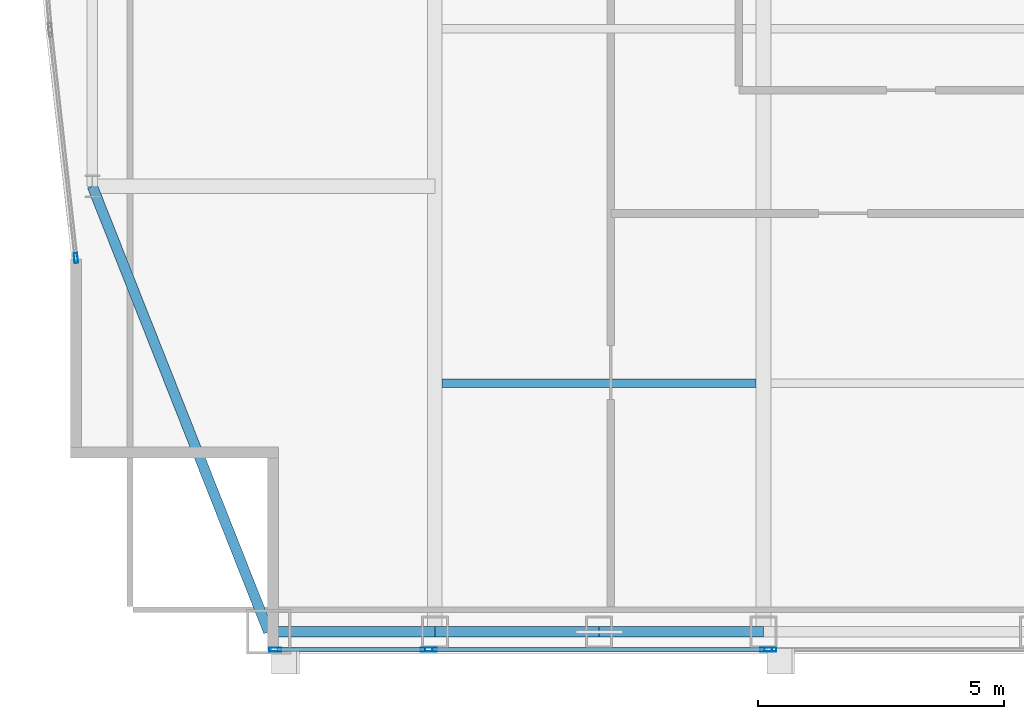
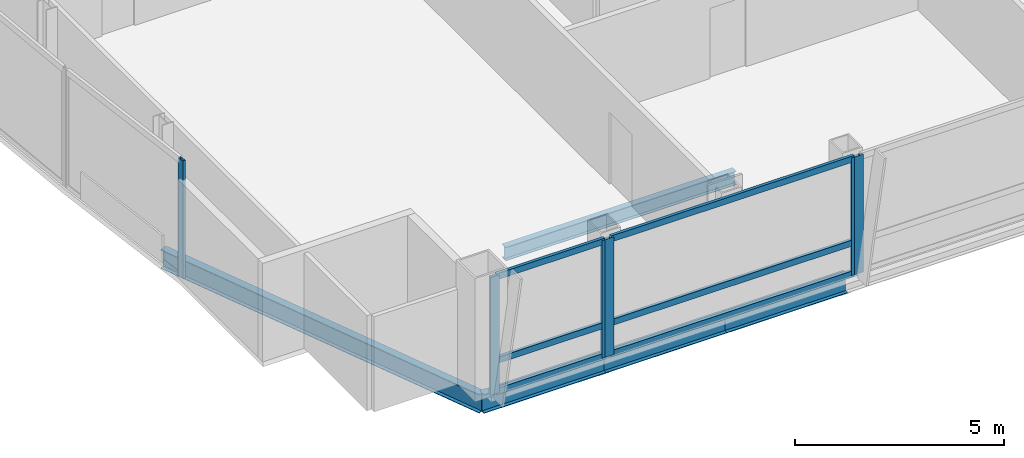
# One storey, part 4 of 25: 12 members, 5 beams, 4 elements without a shape of their own.
"""IFC4 building model written with IfcOpenShell, lengths in metres."""

from ifc_helpers import new_model, si_unit, direction, frame, origin, origin_2d, place, context, subcontext, project, spatial, hollow_rectangle, i_section, extrude, material, material_profile, profile_set, type_object, element, aggregate, save


model = new_model("IFC4")

# Units and contexts
model_context = context("Model", 3, precision=1e-05, world=origin(), true_north=direction((0.0, 1.0)))
body_context = subcontext(model_context, "Body", "Model", "MODEL_VIEW")
ifc_project = project(units=[si_unit("LENGTHUNIT", "METRE"), si_unit("AREAUNIT", "SQUARE_METRE"), si_unit("VOLUMEUNIT", "CUBIC_METRE"), si_unit("PLANEANGLEUNIT", "RADIAN"), si_unit("MASSUNIT", "GRAM", prefix="KILO")], contexts=[model_context])

# Site, building, storey
site_placement = place(None, origin())
site = spatial("IfcSite", under=ifc_project, at=site_placement, CompositionType="ELEMENT")
building_placement = place(site_placement, origin())
building = spatial("IfcBuilding", under=site, at=building_placement, Name="Khoronbel Lancet Exchange", CompositionType="ELEMENT")
storey_placement = place(building_placement, frame((0.0, 0.0, 298.60009765625)))
storey = spatial("IfcBuildingStorey", under=building, at=storey_placement, Name="L77", CompositionType="ELEMENT", Elevation=298.60009765625)

# Beams
ifc_material_1 = material(Name="Steel S355", Category="steel")
ifc_material_profile_1 = material_profile(ifc_material_1, i_section(OverallWidth=0.179931640625, OverallDepth=0.39990234375, WebThickness=0.008544921875, FlangeThickness=0.013427734375, at=origin_2d()), Name="IPE 400")
ifc_profile_set_1 = profile_set([ifc_material_profile_1], Name="Steel S355")
beam_type_1 = type_object("IfcBeamType", Name="BM-BJ5", PredefinedType="JOIST", material=ifc_profile_set_1)
beam_1_placement = place(storey_placement, frame((18.375, 15.199951171875, -0.360107421875), z_axis=(1.0, 0.0, 0.0), x_axis=(0.0, 1.0, 0.0)))
element("IfcBeam", 1, at=beam_1_placement, inside=storey, type_object=beam_type_1, Name="Level L77 secondary composite joist J01", PredefinedType="JOIST", context=body_context, shape_type="SweptSolid", body=[
    extrude(i_section(OverallWidth=0.179931640625, OverallDepth=0.39990234375, WebThickness=0.008544921875, FlangeThickness=0.013427734375, at=origin_2d()), origin(), (0.0, 0.0, 1.0), 6.375),
])
ifc_material_profile_2 = material_profile(ifc_material_1, i_section(OverallWidth=0.2099609375, OverallDepth=0.550048828125, WebThickness=0.010986328125, FlangeThickness=0.01708984375, at=origin_2d()), Name="IPE 550")
ifc_profile_set_2 = profile_set([ifc_material_profile_2], Name="Steel S355")
beam_type_2 = type_object("IfcBeamType", Name="BM-BSP3", PredefinedType="SPANDREL", material=ifc_profile_set_2)
beam_2_placement = place(storey_placement, frame((14.85009765625, 10.14990234375, -0.43505859375), z_axis=(1.0, 0.0, 0.0), x_axis=(0.0, 1.0, 0.0)))
element("IfcBeam", 2, at=beam_2_placement, inside=storey, type_object=beam_type_2, Name="Level L77 perimeter spandrel beam SP01", PredefinedType="SPANDREL", context=body_context, shape_type="SweptSolid", body=[
    extrude(i_section(OverallWidth=0.2099609375, OverallDepth=0.550048828125, WebThickness=0.010986328125, FlangeThickness=0.01708984375, at=origin_2d()), origin(), (0.0, 0.0, 1.0), 3.375),
])
for number, where, z_axis, x_axis, name in (
    (3, (18.22509765625, 10.14990234375, -0.43505859375), (1.0, 0.0, 0.0), (0.0, 1.0, 0.0), "Level L77 perimeter spandrel beam SP02"),
    (4, (21.5625, 10.14990234375, -0.43505859375), (1.0, 0.0, 0.0), (0.0, 1.0, 0.0), "Level L77 perimeter spandrel beam SP03"),
):
    element("IfcBeam", number, at=place(storey_placement, frame(where, z_axis=z_axis, x_axis=x_axis)), inside=storey, type_object=beam_type_2, Name=name, PredefinedType="SPANDREL", context=body_context, shape_type="SweptSolid", body=[
        extrude(i_section(OverallWidth=0.2099609375, OverallDepth=0.550048828125, WebThickness=0.010986328125, FlangeThickness=0.01708984375, at=origin_2d()), origin(), (0.0, 0.0, 1.0), 3.33740234375),
    ])
beam_3_placement = place(storey_placement, frame((11.27001953125, 19.199951171875, -0.43505859375), z_axis=(0.367850095026, -0.92988510451, 0.0), x_axis=(0.92988510451, 0.367850095026, 0.0)))
element("IfcBeam", 5, at=beam_3_placement, inside=storey, type_object=beam_type_2, Name="Level L77 perimeter spandrel beam SP21", PredefinedType="SPANDREL", context=body_context, shape_type="SweptSolid", body=[
    extrude(i_section(OverallWidth=0.2099609375, OverallDepth=0.550048828125, WebThickness=0.010986328125, FlangeThickness=0.01708984375, at=origin_2d()), origin(), (0.0, 0.0, 1.0), 9.732421875),
])

# Curtain wall, members
ifc_material_2 = material(Name="Low-E Solar Control Insulating Glass", Category="glass")
curtain_wall_type_1 = type_object("IfcCurtainWallType", Name="CW-3", PredefinedType="NOTDEFINED", material=ifc_material_2)
curtain_wall_1_placement = place(storey_placement, origin())
curtain_wall_1 = element("IfcCurtainWall", 6, at=curtain_wall_1_placement, inside=storey, type_object=curtain_wall_type_1, Name="Unitised curtain wall CW-L77-SWV", PredefinedType="NOTDEFINED")
ifc_material_3 = material(Name="Bronze-Anodised Aluminium 6063-T6", Category="aluminium")
ifc_material_profile_3 = material_profile(ifc_material_3, hollow_rectangle(XDim=0.0849609375, YDim=0.239990234375, WallThickness=0.006103515625, at=origin_2d()), Name="ALU MULLION 85x240")
ifc_profile_set_3 = profile_set([ifc_material_profile_3], Name="Bronze-Anodised Aluminium 6063-T6")
member_type_1 = type_object("IfcMemberType", Name="MEM-CWM1", PredefinedType="MULLION", material=ifc_profile_set_3)
member_1_placement = place(storey_placement, frame((14.982421875, 9.7900390625, 0.0), z_axis=(0.0, 0.0, 1.0), x_axis=(0.0, 1.0, 0.0)))
member_1 = element("IfcMember", 7, at=member_1_placement, type_object=member_type_1, Name="CW3 mullion 1", PredefinedType="MULLION", context=body_context, shape_type="SweptSolid", body=[
    extrude(hollow_rectangle(XDim=0.0849609375, YDim=0.239990234375, WallThickness=0.006103515625, at=origin_2d()), origin(), (0.0, 0.0, 1.0), 3.43994140625),
])
member_2_placement = place(storey_placement, frame((18.0576171875, 9.7900390625, 0.0), z_axis=(0.0, 0.0, 1.0), x_axis=(0.0, 1.0, 0.0)))
member_2 = element("IfcMember", 8, at=member_2_placement, type_object=member_type_1, Name="CW3 mullion 2", PredefinedType="MULLION", context=body_context, shape_type="SweptSolid", body=[
    extrude(hollow_rectangle(XDim=0.0849609375, YDim=0.239990234375, WallThickness=0.006103515625, at=origin_2d()), origin(), (0.0, 0.0, 1.0), 3.43994140625),
])

curtain_wall_2_placement = place(storey_placement, origin())
curtain_wall_2 = element("IfcCurtainWall", 9, at=curtain_wall_2_placement, inside=storey, type_object=curtain_wall_type_1, Name="Unitised curtain wall CW-L77-SWB", PredefinedType="NOTDEFINED")
member_3_placement = place(storey_placement, frame((18.142578125, 9.7900390625, 0.0), z_axis=(0.0, 0.0, 1.0), x_axis=(0.0, 1.0, 0.0)))
member_3 = element("IfcMember", 10, at=member_3_placement, type_object=member_type_1, Name="CW3 mullion 1", PredefinedType="MULLION", context=body_context, shape_type="SweptSolid", body=[
    extrude(hollow_rectangle(XDim=0.0849609375, YDim=0.239990234375, WallThickness=0.006103515625, at=origin_2d()), origin(), (0.0, 0.0, 1.0), 3.43994140625),
])
member_4_placement = place(storey_placement, frame((24.95751953125, 9.7900390625, 0.0), z_axis=(0.0, 0.0, 1.0), x_axis=(0.0, 1.0, 0.0)))
member_4 = element("IfcMember", 11, at=member_4_placement, type_object=member_type_1, Name="CW3 mullion 2", PredefinedType="MULLION", context=body_context, shape_type="SweptSolid", body=[
    extrude(hollow_rectangle(XDim=0.0849609375, YDim=0.239990234375, WallThickness=0.006103515625, at=origin_2d()), origin(), (0.0, 0.0, 1.0), 3.43994140625),
])

# Curtain wall, member
curtain_wall_3_placement = place(storey_placement, origin())
curtain_wall_3 = element("IfcCurtainWall", 12, at=curtain_wall_3_placement, inside=storey, type_object=curtain_wall_type_1, Name="Unitised curtain wall CW-L77-SCV", PredefinedType="NOTDEFINED")
member_5_placement = place(storey_placement, frame((25.04248046875, 9.7900390625, 0.0), z_axis=(0.0, 0.0, 1.0), x_axis=(0.0, 1.0, 0.0)))
member_5 = element("IfcMember", 13, at=member_5_placement, type_object=member_type_1, Name="CW3 mullion 1", PredefinedType="MULLION", context=body_context, shape_type="SweptSolid", body=[
    extrude(hollow_rectangle(XDim=0.0849609375, YDim=0.239990234375, WallThickness=0.006103515625, at=origin_2d()), origin(), (0.0, 0.0, 1.0), 3.43994140625),
])
aggregate(curtain_wall_3, [member_5])

curtain_wall_type_2 = type_object("IfcCurtainWallType", Name="CW-4", PredefinedType="NOTDEFINED", material=ifc_material_2)
curtain_wall_4_placement = place(storey_placement, origin())
curtain_wall_4 = element("IfcCurtainWall", 14, at=curtain_wall_4_placement, inside=storey, type_object=curtain_wall_type_2, Name="Unitised curtain wall CW-L77-E04", PredefinedType="NOTDEFINED")
ifc_material_profile_4 = material_profile(ifc_material_3, hollow_rectangle(XDim=0.074951171875, YDim=0.199951171875, WallThickness=0.0048828125, at=origin_2d()), Name="ALU MULLION 75x200")
ifc_profile_set_4 = profile_set([ifc_material_profile_4], Name="Bronze-Anodised Aluminium 6063-T6")
member_type_2 = type_object("IfcMemberType", Name="MEM-CWM2", PredefinedType="MULLION", material=ifc_profile_set_4)
member_6_placement = place(storey_placement, frame((10.935791015625, 17.7421875, 0.0), z_axis=(0.0, 0.0, 1.0), x_axis=(-0.993731788903, -0.111790570813, 0.0)))
member_6 = element("IfcMember", 15, at=member_6_placement, type_object=member_type_2, Name="CW4 mullion 1", PredefinedType="MULLION", context=body_context, shape_type="SweptSolid", body=[
    extrude(hollow_rectangle(XDim=0.074951171875, YDim=0.199951171875, WallThickness=0.0048828125, at=origin_2d()), origin(), (0.0, 0.0, 1.0), 3.43994140625),
])
aggregate(curtain_wall_4, [member_6])

# Member
ifc_material_profile_5 = material_profile(ifc_material_3, hollow_rectangle(XDim=0.0849609375, YDim=0.179931640625, WallThickness=0.0048828125, at=origin_2d()), Name="ALU TRANSOM 85x180")
ifc_profile_set_5 = profile_set([ifc_material_profile_5], Name="Bronze-Anodised Aluminium 6063-T6")
member_type_3 = type_object("IfcMemberType", Name="MEM-CWT1", PredefinedType="USERDEFINED", material=ifc_profile_set_5)
member_7_placement = place(storey_placement, frame((15.02490234375, 9.7900390625, 0.04248046875), z_axis=(1.0, 0.0, 0.0), x_axis=(0.0, 1.0, 0.0)))
member_7 = element("IfcMember", 16, at=member_7_placement, type_object=member_type_3, Name="CW3 transom 1.1", ObjectType="TRANSOM", PredefinedType="USERDEFINED", context=body_context, shape_type="SweptSolid", body=[
    extrude(hollow_rectangle(XDim=0.0849609375, YDim=0.179931640625, WallThickness=0.0048828125, at=origin_2d()), origin(), (0.0, 0.0, 1.0), 2.989990234375),
])

member_8_placement = place(storey_placement, frame((15.02490234375, 9.7900390625, 0.949951171875), z_axis=(1.0, 0.0, 0.0), x_axis=(0.0, 1.0, 0.0)))
member_8 = element("IfcMember", 17, at=member_8_placement, type_object=member_type_3, Name="CW3 transom 1.2", ObjectType="TRANSOM", PredefinedType="USERDEFINED", context=body_context, shape_type="SweptSolid", body=[
    extrude(hollow_rectangle(XDim=0.0849609375, YDim=0.179931640625, WallThickness=0.0048828125, at=origin_2d()), origin(), (0.0, 0.0, 1.0), 2.989990234375),
])

member_9_placement = place(storey_placement, frame((15.02490234375, 9.7900390625, 3.3974609375), z_axis=(1.0, 0.0, 0.0), x_axis=(0.0, 1.0, 0.0)))
member_9 = element("IfcMember", 18, at=member_9_placement, type_object=member_type_3, Name="CW3 transom 1.3", ObjectType="TRANSOM", PredefinedType="USERDEFINED", context=body_context, shape_type="SweptSolid", body=[
    extrude(hollow_rectangle(XDim=0.0849609375, YDim=0.179931640625, WallThickness=0.0048828125, at=origin_2d()), origin(), (0.0, 0.0, 1.0), 2.989990234375),
])

aggregate(curtain_wall_1, [member_1, member_2, member_7, member_8, member_9])

member_10_placement = place(storey_placement, frame((18.18505859375, 9.7900390625, 0.04248046875), z_axis=(1.0, 0.0, 0.0), x_axis=(0.0, 1.0, 0.0)))
member_10 = element("IfcMember", 19, at=member_10_placement, type_object=member_type_3, Name="CW3 transom 1.1", ObjectType="TRANSOM", PredefinedType="USERDEFINED", context=body_context, shape_type="SweptSolid", body=[
    extrude(hollow_rectangle(XDim=0.0849609375, YDim=0.179931640625, WallThickness=0.0048828125, at=origin_2d()), origin(), (0.0, 0.0, 1.0), 6.72998046875),
])

member_11_placement = place(storey_placement, frame((18.18505859375, 9.7900390625, 0.949951171875), z_axis=(1.0, 0.0, 0.0), x_axis=(0.0, 1.0, 0.0)))
member_11 = element("IfcMember", 20, at=member_11_placement, type_object=member_type_3, Name="CW3 transom 1.2", ObjectType="TRANSOM", PredefinedType="USERDEFINED", context=body_context, shape_type="SweptSolid", body=[
    extrude(hollow_rectangle(XDim=0.0849609375, YDim=0.179931640625, WallThickness=0.0048828125, at=origin_2d()), origin(), (0.0, 0.0, 1.0), 6.72998046875),
])

member_12_placement = place(storey_placement, frame((18.18505859375, 9.7900390625, 3.3974609375), z_axis=(1.0, 0.0, 0.0), x_axis=(0.0, 1.0, 0.0)))
member_12 = element("IfcMember", 21, at=member_12_placement, type_object=member_type_3, Name="CW3 transom 1.3", ObjectType="TRANSOM", PredefinedType="USERDEFINED", context=body_context, shape_type="SweptSolid", body=[
    extrude(hollow_rectangle(XDim=0.0849609375, YDim=0.179931640625, WallThickness=0.0048828125, at=origin_2d()), origin(), (0.0, 0.0, 1.0), 6.72998046875),
])

aggregate(curtain_wall_2, [member_3, member_4, member_10, member_11, member_12])

save(model, "model.ifc")
